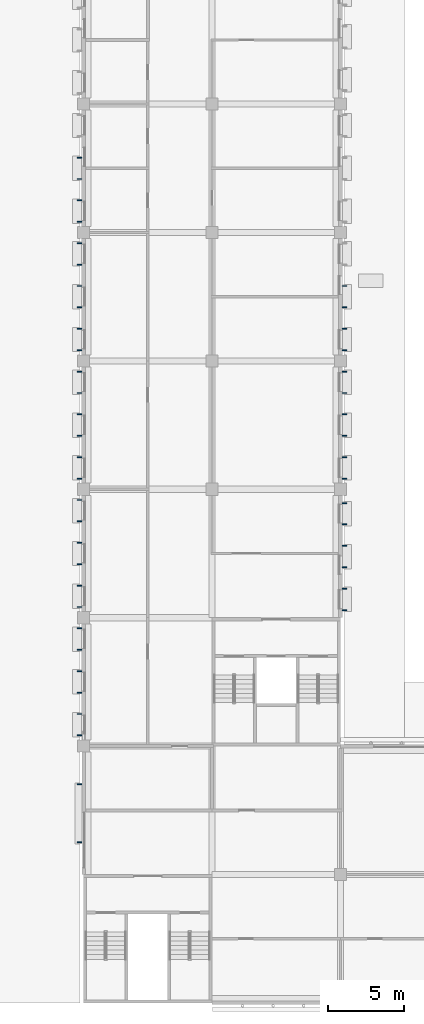
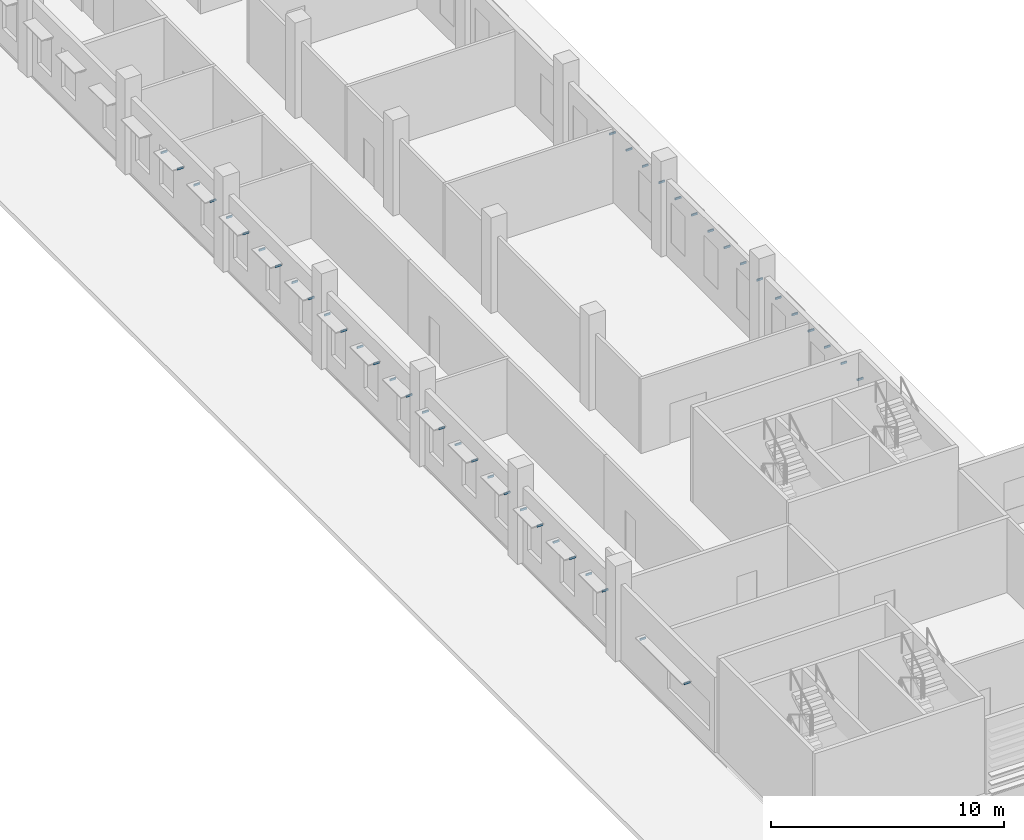
# One storey, part 47 of 101: 46 discrete accessories.
"""IFC4 building model written with IfcOpenShell, lengths in metres."""

from ifc_helpers import new_model, si_unit, direction, frame, origin, origin_2d, place, context, subcontext, project, spatial, rectangle, extrude, material, type_object, element, save


model = new_model("IFC4")

# Units and contexts
model_context = context("Model", 3, precision=1e-05, world=origin(), true_north=direction((0.0, 1.0)))
body_context = subcontext(model_context, "Body", "Model", "MODEL_VIEW")
ifc_project = project(units=[si_unit("LENGTHUNIT", "METRE"), si_unit("AREAUNIT", "SQUARE_METRE"), si_unit("VOLUMEUNIT", "CUBIC_METRE"), si_unit("PLANEANGLEUNIT", "RADIAN"), si_unit("MASSUNIT", "GRAM", prefix="KILO")], contexts=[model_context])

# Site, building, storey
site_placement = place(None, origin())
site = spatial("IfcSite", under=ifc_project, at=site_placement, CompositionType="ELEMENT")
building_placement = place(site_placement, origin())
building = spatial("IfcBuilding", under=site, at=building_placement, Name="Almond Square Museum", CompositionType="ELEMENT")
storey_placement = place(building_placement, frame((0.0, 0.0, 5.5)))
storey = spatial("IfcBuildingStorey", under=building, at=storey_placement, Name="L01", CompositionType="ELEMENT", Elevation=5.5)

# Discrete accessories
ifc_material = material(Name="Stainless steel", Category="steel")
discrete_accessory_type = type_object("IfcDiscreteAccessoryType", Name="Sun-shade blade bracket", PredefinedType="BRACKET", material=ifc_material)
for number, where, z_axis, x_axis, name in (
    (1, (23.072998046875, 25.699951171875, 2.9970703125), (0.0, 0.0, 1.0), (1.0, 0.0, 0.0), "Bracket sun-shade blade"),
    (2, (23.072998046875, 27.10009765625, 2.9970703125), (0.0, 0.0, 1.0), (1.0, 0.0, 0.0), "Bracket sun-shade blade"),
    (3, (23.072998046875, 28.5, 2.9970703125), (0.0, 0.0, 1.0), (1.0, 0.0, 0.0), "Bracket sun-shade blade"),
    (4, (23.072998046875, 29.89990234375, 2.9970703125), (0.0, 0.0, 1.0), (1.0, 0.0, 0.0), "Bracket sun-shade blade"),
    (5, (23.072998046875, 31.300048828125, 2.9970703125), (0.0, 0.0, 1.0), (1.0, 0.0, 0.0), "Bracket sun-shade blade"),
    (6, (23.072998046875, 32.699951171875, 2.9970703125), (0.0, 0.0, 1.0), (1.0, 0.0, 0.0), "Bracket sun-shade blade"),
    (7, (23.072998046875, 34.300048828125, 2.9970703125), (0.0, 0.0, 1.0), (1.0, 0.0, 0.0), "Bracket sun-shade blade"),
    (8, (23.072998046875, 35.699951171875, 2.9970703125), (0.0, 0.0, 1.0), (1.0, 0.0, 0.0), "Bracket sun-shade blade"),
    (9, (23.072998046875, 37.10009765625, 2.9970703125), (0.0, 0.0, 1.0), (1.0, 0.0, 0.0), "Bracket sun-shade blade"),
    (10, (23.072998046875, 38.5, 2.9970703125), (0.0, 0.0, 1.0), (1.0, 0.0, 0.0), "Bracket sun-shade blade"),
    (11, (23.072998046875, 39.89990234375, 2.9970703125), (0.0, 0.0, 1.0), (1.0, 0.0, 0.0), "Bracket sun-shade blade"),
    (12, (23.072998046875, 41.300048828125, 2.9970703125), (0.0, 0.0, 1.0), (1.0, 0.0, 0.0), "Bracket sun-shade blade"),
    (13, (23.072998046875, 42.699951171875, 2.9970703125), (0.0, 0.0, 1.0), (1.0, 0.0, 0.0), "Bracket sun-shade blade"),
    (14, (23.072998046875, 44.10009765625, 2.9970703125), (0.0, 0.0, 1.0), (1.0, 0.0, 0.0), "Bracket sun-shade blade"),
    (15, (23.072998046875, 45.5, 2.9970703125), (0.0, 0.0, 1.0), (1.0, 0.0, 0.0), "Bracket sun-shade blade"),
    (16, (23.072998046875, 46.89990234375, 2.9970703125), (0.0, 0.0, 1.0), (1.0, 0.0, 0.0), "Bracket sun-shade blade"),
    (17, (5.72705078125, 51.10009765625, 2.9970703125), (0.0, 0.0, 1.0), (1.0, 0.0, 0.0), "Bracket sun-shade blade"),
    (18, (5.72705078125, 52.5, 2.9970703125), (0.0, 0.0, 1.0), (1.0, 0.0, 0.0), "Bracket sun-shade blade"),
    (19, (5.72705078125, 53.89990234375, 2.9970703125), (0.0, 0.0, 1.0), (1.0, 0.0, 0.0), "Bracket sun-shade blade"),
    (20, (5.72705078125, 55.300048828125, 2.9970703125), (0.0, 0.0, 1.0), (1.0, 0.0, 0.0), "Bracket sun-shade blade"),
    (21, (5.72705078125, 42.699951171875, 2.9970703125), (0.0, 0.0, 1.0), (1.0, 0.0, 0.0), "Bracket sun-shade blade"),
    (22, (5.72705078125, 44.10009765625, 2.9970703125), (0.0, 0.0, 1.0), (1.0, 0.0, 0.0), "Bracket sun-shade blade"),
    (23, (5.72705078125, 45.5, 2.9970703125), (0.0, 0.0, 1.0), (1.0, 0.0, 0.0), "Bracket sun-shade blade"),
    (24, (5.72705078125, 46.89990234375, 2.9970703125), (0.0, 0.0, 1.0), (1.0, 0.0, 0.0), "Bracket sun-shade blade"),
    (25, (5.72705078125, 48.300048828125, 2.9970703125), (0.0, 0.0, 1.0), (1.0, 0.0, 0.0), "Bracket sun-shade blade"),
    (26, (5.72705078125, 49.699951171875, 2.9970703125), (0.0, 0.0, 1.0), (1.0, 0.0, 0.0), "Bracket sun-shade blade"),
    (27, (5.72705078125, 34.300048828125, 2.9970703125), (0.0, 0.0, 1.0), (1.0, 0.0, 0.0), "Bracket sun-shade blade"),
    (28, (5.72705078125, 35.699951171875, 2.9970703125), (0.0, 0.0, 1.0), (1.0, 0.0, 0.0), "Bracket sun-shade blade"),
    (29, (5.72705078125, 37.10009765625, 2.9970703125), (0.0, 0.0, 1.0), (1.0, 0.0, 0.0), "Bracket sun-shade blade"),
    (30, (5.72705078125, 38.5, 2.9970703125), (0.0, 0.0, 1.0), (1.0, 0.0, 0.0), "Bracket sun-shade blade"),
    (31, (5.72705078125, 39.89990234375, 2.9970703125), (0.0, 0.0, 1.0), (1.0, 0.0, 0.0), "Bracket sun-shade blade"),
    (32, (5.72705078125, 41.300048828125, 2.9970703125), (0.0, 0.0, 1.0), (1.0, 0.0, 0.0), "Bracket sun-shade blade"),
    (33, (5.72705078125, 25.89990234375, 2.9970703125), (0.0, 0.0, 1.0), (1.0, 0.0, 0.0), "Bracket sun-shade blade"),
    (34, (5.72705078125, 27.300048828125, 2.9970703125), (0.0, 0.0, 1.0), (1.0, 0.0, 0.0), "Bracket sun-shade blade"),
    (35, (5.72705078125, 28.699951171875, 2.9970703125), (0.0, 0.0, 1.0), (1.0, 0.0, 0.0), "Bracket sun-shade blade"),
    (36, (5.72705078125, 30.10009765625, 2.9970703125), (0.0, 0.0, 1.0), (1.0, 0.0, 0.0), "Bracket sun-shade blade"),
    (37, (5.72705078125, 31.5, 2.9970703125), (0.0, 0.0, 1.0), (1.0, 0.0, 0.0), "Bracket sun-shade blade"),
    (38, (5.72705078125, 32.89990234375, 2.9970703125), (0.0, 0.0, 1.0), (1.0, 0.0, 0.0), "Bracket sun-shade blade"),
    (39, (5.72705078125, 17.5, 2.9970703125), (0.0, 0.0, 1.0), (1.0, 0.0, 0.0), "Bracket sun-shade blade"),
    (40, (5.72705078125, 18.89990234375, 2.9970703125), (0.0, 0.0, 1.0), (1.0, 0.0, 0.0), "Bracket sun-shade blade"),
    (41, (5.72705078125, 20.300048828125, 2.9970703125), (0.0, 0.0, 1.0), (1.0, 0.0, 0.0), "Bracket sun-shade blade"),
    (42, (5.72705078125, 21.699951171875, 2.9970703125), (0.0, 0.0, 1.0), (1.0, 0.0, 0.0), "Bracket sun-shade blade"),
    (43, (5.72705078125, 23.10009765625, 2.9970703125), (0.0, 0.0, 1.0), (1.0, 0.0, 0.0), "Bracket sun-shade blade"),
    (44, (5.72705078125, 24.5, 2.9970703125), (0.0, 0.0, 1.0), (1.0, 0.0, 0.0), "Bracket sun-shade blade"),
    (45, (5.741943359375, 10.5, 2.39697265625), (0.0, 0.0, 1.0), (1.0, 0.0, 0.0), "Bracket sun-shade blade"),
    (46, (5.741943359375, 14.300048828125, 2.39697265625), (0.0, 0.0, 1.0), (1.0, 0.0, 0.0), "Bracket sun-shade blade"),
):
    element("IfcDiscreteAccessory", number, at=place(storey_placement, frame(where, z_axis=z_axis, x_axis=x_axis)), inside=storey, type_object=discrete_accessory_type, Name=name, PredefinedType="BRACKET", context=body_context, shape_type="SweptSolid", body=[
        extrude(rectangle(XDim=0.300048828125, YDim=0.06005859375, at=origin_2d()), origin(), (0.0, 0.0, 1.0), 0.10009765625),
    ])

save(model, "model.ifc")
